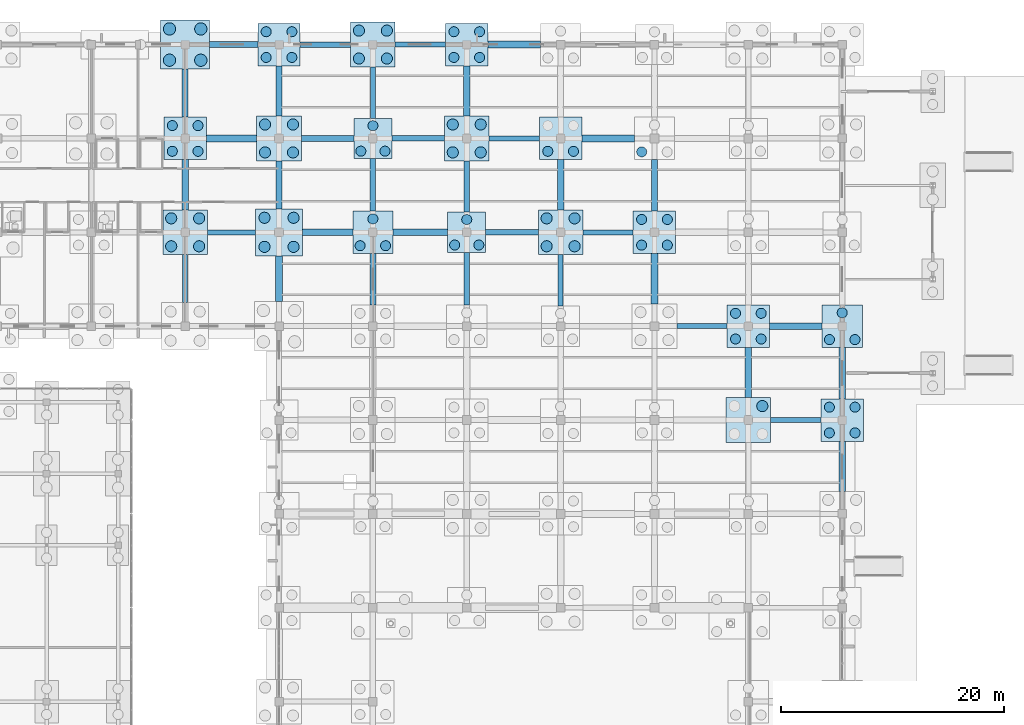
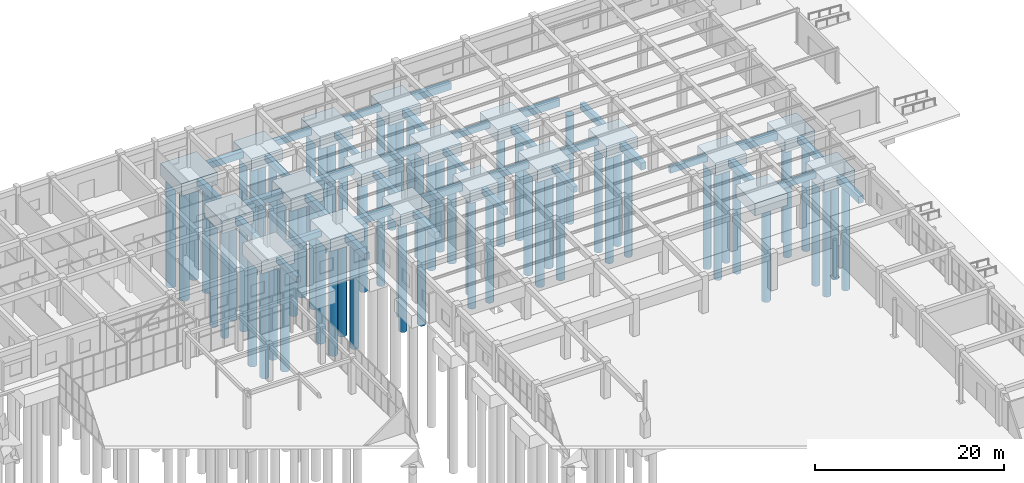
# One storey, part 15 of 192: 68 piles, 55 footings.
"""IFC4 building model written with IfcOpenShell, lengths in metres."""

from ifc_helpers import new_model, si_unit, direction, frame, origin, origin_2d, place, context, subcontext, project, spatial, rectangle, circle, extrude, material, layer, layer_set, material_profile, profile_set, type_object, element, save


model = new_model("IFC4")

# Units and contexts
model_context = context("Model", 3, precision=1e-05, world=origin(), true_north=direction((0.0, 1.0)))
body_context = subcontext(model_context, "Body", "Model", "MODEL_VIEW")
ifc_project = project(units=[si_unit("LENGTHUNIT", "METRE"), si_unit("AREAUNIT", "SQUARE_METRE"), si_unit("VOLUMEUNIT", "CUBIC_METRE"), si_unit("PLANEANGLEUNIT", "RADIAN"), si_unit("MASSUNIT", "GRAM", prefix="KILO")], contexts=[model_context])

# Site, building, storey
site_placement = place(None, origin())
site = spatial("IfcSite", under=ifc_project, at=site_placement, CompositionType="ELEMENT")
building_placement = place(site_placement, origin())
building = spatial("IfcBuilding", under=site, at=building_placement, Name="Trelvath General Hospital", CompositionType="ELEMENT")
storey_placement = place(building_placement, origin())
storey = spatial("IfcBuildingStorey", under=building, at=storey_placement, Name="L00", CompositionType="ELEMENT", Elevation=0.0)

# Piles
ifc_material_1 = material(Name="Concrete C35/45", Category="concrete")
ifc_material_profile_1 = material_profile(ifc_material_1, circle(Radius=0.5, at=origin_2d()), Name="PILE1000")
ifc_profile_set_1 = profile_set([ifc_material_profile_1], Name="Concrete C35/45")
pile_type_1 = type_object("IfcPileType", Name="BoredPile D1000", PredefinedType="BORED", material=ifc_profile_set_1)
for number, where, z_axis, x_axis, name in (
    (1, (124.75, 99.550048828125, -1.800048828125), (0.0, 0.0, -1.0), (1.0, 0.0, 0.0), "Bored Pile P-0872"),
    (2, (127.25, 99.550048828125, -1.800048828125), (0.0, 0.0, -1.0), (1.0, 0.0, 0.0), "Bored Pile P-0873"),
    (3, (124.75, 102.050048828125, -1.800048828125), (0.0, 0.0, -1.0), (1.0, 0.0, 0.0), "Bored Pile P-0874"),
    (4, (127.25, 102.050048828125, -1.800048828125), (0.0, 0.0, -1.0), (1.0, 0.0, 0.0), "Bored Pile P-0875"),
    (5, (133.10009765625, 99.5, -1.800048828125), (0.0, 0.0, -1.0), (1.0, 0.0, 0.0), "Bored Pile P-0932"),
    (6, (135.699951171875, 99.5, -1.800048828125), (0.0, 0.0, -1.0), (1.0, 0.0, 0.0), "Bored Pile P-0933"),
    (7, (133.10009765625, 102.10009765625, -1.800048828125), (0.0, 0.0, -1.0), (1.0, 0.0, 0.0), "Bored Pile P-0934"),
    (8, (135.699951171875, 102.10009765625, -1.800048828125), (0.0, 0.0, -1.0), (1.0, 0.0, 0.0), "Bored Pile P-0935"),
    (9, (133.14990234375, 107.949951171875, -1.800048828125), (0.0, 0.0, -1.0), (1.0, 0.0, 0.0), "Bored Pile P-0936"),
    (10, (135.64990234375, 107.949951171875, -1.800048828125), (0.0, 0.0, -1.0), (1.0, 0.0, 0.0), "Bored Pile P-0937"),
    (11, (133.14990234375, 110.449951171875, -1.800048828125), (0.0, 0.0, -1.0), (1.0, 0.0, 0.0), "Bored Pile P-0938"),
    (12, (135.64990234375, 110.449951171875, -1.800048828125), (0.0, 0.0, -1.0), (1.0, 0.0, 0.0), "Bored Pile P-0939"),
    (13, (141.550048828125, 116.35009765625, -1.800048828125), (0.0, 0.0, -1.0), (1.0, 0.0, 0.0), "Bored Pile P-0988"),
    (14, (144.050048828125, 116.35009765625, -1.800048828125), (0.0, 0.0, -1.0), (1.0, 0.0, 0.0), "Bored Pile P-0989"),
    (15, (141.550048828125, 118.85009765625, -1.800048828125), (0.0, 0.0, -1.0), (1.0, 0.0, 0.0), "Bored Pile P-0990"),
    (16, (144.050048828125, 118.85009765625, -1.800048828125), (0.0, 0.0, -1.0), (1.0, 0.0, 0.0), "Bored Pile P-0991"),
    (17, (149.949951171875, 107.949951171875, -1.800048828125), (0.0, 0.0, -1.0), (1.0, 0.0, 0.0), "Bored Pile P-1016"),
    (18, (152.449951171875, 107.949951171875, -1.800048828125), (0.0, 0.0, -1.0), (1.0, 0.0, 0.0), "Bored Pile P-1017"),
    (19, (149.949951171875, 110.449951171875, -1.800048828125), (0.0, 0.0, -1.0), (1.0, 0.0, 0.0), "Bored Pile P-1018"),
    (20, (152.449951171875, 110.449951171875, -1.800048828125), (0.0, 0.0, -1.0), (1.0, 0.0, 0.0), "Bored Pile P-1019"),
    (21, (158.35009765625, 99.550048828125, -1.800048828125), (0.0, 0.0, -1.0), (1.0, 0.0, 0.0), "Bored Pile P-1044"),
    (22, (160.85009765625, 99.550048828125, -1.800048828125), (0.0, 0.0, -1.0), (1.0, 0.0, 0.0), "Bored Pile P-1045"),
    (23, (158.35009765625, 102.050048828125, -1.800048828125), (0.0, 0.0, -1.0), (1.0, 0.0, 0.0), "Bored Pile P-1046"),
    (24, (160.85009765625, 102.050048828125, -1.800048828125), (0.0, 0.0, -1.0), (1.0, 0.0, 0.0), "Bored Pile P-1047"),
    (25, (177.64990234375, 85.25, -1.800048828125), (0.0, 0.0, -1.0), (1.0, 0.0, 0.0), "Bored Pile P-1115"),
):
    element("IfcPile", number, at=place(storey_placement, frame(where, z_axis=z_axis, x_axis=x_axis)), inside=storey, type_object=pile_type_1, Name=name, PredefinedType="BORED", context=body_context, shape_type="SweptSolid", body=[
        extrude(circle(Radius=0.5, at=origin_2d()), origin(), (0.0, 0.0, 1.0), 14.0),
    ])
ifc_material_2 = material(Name="Concrete C35/45", Category="concrete")
ifc_material_profile_2 = material_profile(ifc_material_2, circle(Radius=0.550048828125, at=origin_2d()), Name="PILE1100")
ifc_profile_set_2 = profile_set([ifc_material_profile_2], Name="Concrete C35/45")
pile_type_2 = type_object("IfcPileType", Name="BoredPile D1100", PredefinedType="BORED", material=ifc_profile_set_2)
for number, where, z_axis, x_axis, name in (
    (26, (124.60009765625, 116.199951171875, -1.800048828125), (0.0, 0.0, -1.0), (1.0, 0.0, 0.0), "Bored Pile P-0880"),
    (27, (127.39990234375, 116.199951171875, -1.800048828125), (0.0, 0.0, -1.0), (1.0, 0.0, 0.0), "Bored Pile P-0881"),
    (28, (124.60009765625, 119.0, -1.800048828125), (0.0, 0.0, -1.0), (1.0, 0.0, 0.0), "Bored Pile P-0882"),
    (29, (127.39990234375, 119.0, -1.800048828125), (0.0, 0.0, -1.0), (1.0, 0.0, 0.0), "Bored Pile P-0883"),
):
    element("IfcPile", number, at=place(storey_placement, frame(where, z_axis=z_axis, x_axis=x_axis)), inside=storey, type_object=pile_type_2, Name=name, PredefinedType="BORED", context=body_context, shape_type="SweptSolid", body=[
        extrude(circle(Radius=0.550048828125, at=origin_2d()), origin(), (0.0, 0.0, 1.0), 14.0),
    ])
ifc_material_3 = material(Name="Concrete C35/45", Category="concrete")
ifc_material_profile_3 = material_profile(ifc_material_3, circle(Radius=0.449951171875, at=origin_2d()), Name="PILE900")
ifc_profile_set_3 = profile_set([ifc_material_profile_3], Name="Concrete C35/45")
pile_type_3 = type_object("IfcPileType", Name="BoredPile D900", PredefinedType="BORED", material=ifc_profile_set_3)
for number, where, z_axis, x_axis, name in (
    (30, (124.85009765625, 108.050048828125, -1.800048828125), (0.0, 0.0, -1.0), (1.0, 0.0, 0.0), "Bored Pile P-0876"),
    (31, (127.14990234375, 108.050048828125, -1.800048828125), (0.0, 0.0, -1.0), (1.0, 0.0, 0.0), "Bored Pile P-0877"),
    (32, (124.85009765625, 110.35009765625, -1.800048828125), (0.0, 0.0, -1.0), (1.0, 0.0, 0.0), "Bored Pile P-0878"),
    (33, (127.14990234375, 110.35009765625, -1.800048828125), (0.0, 0.0, -1.0), (1.0, 0.0, 0.0), "Bored Pile P-0879"),
    (34, (133.25, 116.449951171875, -1.800048828125), (0.0, 0.0, -1.0), (1.0, 0.0, 0.0), "Bored Pile P-0940"),
    (35, (135.550048828125, 116.449951171875, -1.800048828125), (0.0, 0.0, -1.0), (1.0, 0.0, 0.0), "Bored Pile P-0941"),
    (36, (133.25, 118.75, -1.800048828125), (0.0, 0.0, -1.0), (1.0, 0.0, 0.0), "Bored Pile P-0942"),
    (37, (135.550048828125, 118.75, -1.800048828125), (0.0, 0.0, -1.0), (1.0, 0.0, 0.0), "Bored Pile P-0943"),
    (38, (141.659912109375, 99.60009765625, -1.800048828125), (0.0, 0.0, -1.0), (1.0, 0.0, 0.0), "Bored Pile P-0982"),
    (39, (143.93994140625, 99.60009765625, -1.800048828125), (0.0, 0.0, -1.0), (1.0, 0.0, 0.0), "Bored Pile P-0983"),
    (40, (142.800048828125, 102.0, -1.800048828125), (0.0, 0.0, -1.0), (1.0, 0.0, 0.0), "Bored Pile P-0984"),
    (41, (141.719970703125, 108.06005859375, -1.800048828125), (0.0, 0.0, -1.0), (1.0, 0.0, 0.0), "Bored Pile P-0985"),
    (42, (143.8798828125, 108.06005859375, -1.800048828125), (0.0, 0.0, -1.0), (1.0, 0.0, 0.0), "Bored Pile P-0986"),
    (43, (142.800048828125, 110.340087890625, -1.800048828125), (0.0, 0.0, -1.0), (1.0, 0.0, 0.0), "Bored Pile P-0987"),
    (44, (150.1201171875, 99.659912109375, -1.800048828125), (0.0, 0.0, -1.0), (1.0, 0.0, 0.0), "Bored Pile P-1013"),
    (45, (152.280029296875, 99.659912109375, -1.800048828125), (0.0, 0.0, -1.0), (1.0, 0.0, 0.0), "Bored Pile P-1014"),
    (46, (151.199951171875, 101.93994140625, -1.800048828125), (0.0, 0.0, -1.0), (1.0, 0.0, 0.0), "Bored Pile P-1015"),
    (47, (150.050048828125, 116.449951171875, -1.800048828125), (0.0, 0.0, -1.0), (1.0, 0.0, 0.0), "Bored Pile P-1020"),
    (48, (152.35009765625, 116.449951171875, -1.800048828125), (0.0, 0.0, -1.0), (1.0, 0.0, 0.0), "Bored Pile P-1021"),
    (49, (150.050048828125, 118.75, -1.800048828125), (0.0, 0.0, -1.0), (1.0, 0.0, 0.0), "Bored Pile P-1022"),
    (50, (152.35009765625, 118.75, -1.800048828125), (0.0, 0.0, -1.0), (1.0, 0.0, 0.0), "Bored Pile P-1023"),
    (51, (158.449951171875, 108.050048828125, -1.800048828125), (0.0, 0.0, -1.0), (1.0, 0.0, 0.0), "Bored Pile P-1048"),
    (52, (160.75, 108.050048828125, -1.800048828125), (0.0, 0.0, -1.0), (1.0, 0.0, 0.0), "Bored Pile P-1049"),
    (53, (166.85009765625, 99.64990234375, -1.800048828125), (0.0, 0.0, -1.0), (1.0, 0.0, 0.0), "Bored Pile P-1076"),
    (54, (169.14990234375, 99.64990234375, -1.800048828125), (0.0, 0.0, -1.0), (1.0, 0.0, 0.0), "Bored Pile P-1077"),
    (55, (166.85009765625, 101.949951171875, -1.800048828125), (0.0, 0.0, -1.0), (1.0, 0.0, 0.0), "Bored Pile P-1078"),
    (56, (169.14990234375, 101.949951171875, -1.800048828125), (0.0, 0.0, -1.0), (1.0, 0.0, 0.0), "Bored Pile P-1079"),
    (57, (166.860107421875, 108.0, -1.800048828125), (0.0, 0.0, -1.0), (1.0, 0.0, 0.0), "Bored Pile P-1080"),
    (58, (175.25, 91.25, -1.800048828125), (0.0, 0.0, -1.0), (1.0, 0.0, 0.0), "Bored Pile P-1116"),
    (59, (177.550048828125, 91.25, -1.800048828125), (0.0, 0.0, -1.0), (1.0, 0.0, 0.0), "Bored Pile P-1117"),
    (60, (175.25, 93.550048828125, -1.800048828125), (0.0, 0.0, -1.0), (1.0, 0.0, 0.0), "Bored Pile P-1118"),
    (61, (177.550048828125, 93.550048828125, -1.800048828125), (0.0, 0.0, -1.0), (1.0, 0.0, 0.0), "Bored Pile P-1119"),
    (62, (183.64990234375, 82.85009765625, -1.800048828125), (0.0, 0.0, -1.0), (1.0, 0.0, 0.0), "Bored Pile P-1158"),
    (63, (185.949951171875, 82.85009765625, -1.800048828125), (0.0, 0.0, -1.0), (1.0, 0.0, 0.0), "Bored Pile P-1159"),
    (64, (183.64990234375, 85.14990234375, -1.800048828125), (0.0, 0.0, -1.0), (1.0, 0.0, 0.0), "Bored Pile P-1160"),
    (65, (185.949951171875, 85.14990234375, -1.800048828125), (0.0, 0.0, -1.0), (1.0, 0.0, 0.0), "Bored Pile P-1161"),
    (66, (183.659912109375, 91.199951171875, -1.800048828125), (0.0, 0.0, -1.0), (1.0, 0.0, 0.0), "Bored Pile P-1162"),
    (67, (185.93994140625, 91.199951171875, -1.800048828125), (0.0, 0.0, -1.0), (1.0, 0.0, 0.0), "Bored Pile P-1163"),
    (68, (184.800048828125, 93.60009765625, -1.800048828125), (0.0, 0.0, -1.0), (1.0, 0.0, 0.0), "Bored Pile P-1164"),
):
    element("IfcPile", number, at=place(storey_placement, frame(where, z_axis=z_axis, x_axis=x_axis)), inside=storey, type_object=pile_type_3, Name=name, PredefinedType="BORED", context=body_context, shape_type="SweptSolid", body=[
        extrude(circle(Radius=0.449951171875, at=origin_2d()), origin(), (0.0, 0.0, 1.0), 14.0),
    ])

# Footings
ifc_material_4 = material(Name="Concrete C35/45", Category="concrete")
ifc_layer_1 = layer(ifc_material_4, 1.60009765625)
ifc_layer_set_1 = layer_set([ifc_layer_1], Name="Concrete C35/45")
footing_type_1 = type_object("IfcFootingType", Name="PileCap 3P 340x360", PredefinedType="PILE_CAP", material=ifc_layer_set_1)
for number, where, z_axis, x_axis, name in (
    (69, (142.800048828125, 109.199951171875, -1.900146484375), (0.0, 0.0, 1.0), (1.0, 0.0, 0.0), "Pile Cap PC-268"),
    (70, (151.199951171875, 100.800048828125, -1.900146484375), (0.0, 0.0, 1.0), (1.0, 0.0, 0.0), "Pile Cap PC-276"),
):
    element("IfcFooting", number, at=place(storey_placement, frame(where, z_axis=z_axis, x_axis=x_axis)), inside=storey, type_object=footing_type_1, Name=name, PredefinedType="PILE_CAP", context=body_context, shape_type="SweptSolid", body=[
        extrude(rectangle(XDim=3.39990234375, YDim=3.60009765625, at=origin_2d()), origin(), (0.0, 0.0, 1.0), 1.60009765625),
    ])
ifc_material_5 = material(Name="Concrete C35/45", Category="concrete")
ifc_layer_2 = layer(ifc_material_5, 1.60009765625)
ifc_layer_set_2 = layer_set([ifc_layer_2], Name="Concrete C35/45")
footing_type_2 = type_object("IfcFootingType", Name="PileCap 3P 360x380", PredefinedType="PILE_CAP", material=ifc_layer_set_2)
for number, where, z_axis, x_axis, name in (
    (71, (142.800048828125, 100.800048828125, -1.900146484375), (0.0, 0.0, 1.0), (1.0, 0.0, 0.0), "Pile Cap PC-267"),
    (72, (184.800048828125, 92.39990234375, -1.900146484375), (0.0, 0.0, 1.0), (1.0, 0.0, 0.0), "Pile Cap PC-319"),
):
    element("IfcFooting", number, at=place(storey_placement, frame(where, z_axis=z_axis, x_axis=x_axis)), inside=storey, type_object=footing_type_2, Name=name, PredefinedType="PILE_CAP", context=body_context, shape_type="SweptSolid", body=[
        extrude(rectangle(XDim=3.60009765625, YDim=3.800048828125, at=origin_2d()), origin(), (0.0, 0.0, 1.0), 1.60009765625),
    ])
ifc_material_6 = material(Name="Concrete C35/45", Category="concrete")
ifc_layer_3 = layer(ifc_material_6, 1.60009765625)
ifc_layer_set_3 = layer_set([ifc_layer_3], Name="Concrete C35/45")
footing_type_3 = type_object("IfcFootingType", Name="PileCap 4P 380x380", PredefinedType="PILE_CAP", material=ifc_layer_set_3)
for number, where, z_axis, x_axis, name in (
    (73, (126.0, 109.199951171875, -1.900146484375), (0.0, 0.0, 1.0), (1.0, 0.0, 0.0), "Pile Cap PC-240"),
    (74, (134.39990234375, 117.60009765625, -1.900146484375), (0.0, 0.0, 1.0), (1.0, 0.0, 0.0), "Pile Cap PC-256"),
    (75, (151.199951171875, 117.60009765625, -1.900146484375), (0.0, 0.0, 1.0), (1.0, 0.0, 0.0), "Pile Cap PC-278"),
    (76, (159.60009765625, 109.199951171875, -1.900146484375), (0.0, 0.0, 1.0), (1.0, 0.0, 0.0), "Pile Cap PC-286"),
    (77, (168.0, 100.800048828125, -1.900146484375), (0.0, 0.0, 1.0), (1.0, 0.0, 0.0), "Pile Cap PC-294"),
    (78, (176.39990234375, 92.39990234375, -1.900146484375), (0.0, 0.0, 1.0), (1.0, 0.0, 0.0), "Pile Cap PC-306"),
    (79, (184.800048828125, 84.0, -1.900146484375), (0.0, 0.0, 1.0), (1.0, 0.0, 0.0), "Pile Cap PC-318"),
):
    element("IfcFooting", number, at=place(storey_placement, frame(where, z_axis=z_axis, x_axis=x_axis)), inside=storey, type_object=footing_type_3, Name=name, PredefinedType="PILE_CAP", context=body_context, shape_type="SweptSolid", body=[
        extrude(rectangle(XDim=3.800048828125, YDim=3.800048828125, at=origin_2d()), origin(), (0.0, 0.0, 1.0), 1.60009765625),
    ])
ifc_material_7 = material(Name="Concrete C35/45", Category="concrete")
ifc_layer_4 = layer(ifc_material_7, 1.60009765625)
ifc_layer_set_4 = layer_set([ifc_layer_4], Name="Concrete C35/45")
footing_type_4 = type_object("IfcFootingType", Name="PileCap 4P 400x400", PredefinedType="PILE_CAP", material=ifc_layer_set_4)
for number, where, z_axis, x_axis, name in (
    (80, (126.0, 100.800048828125, -1.900146484375), (0.0, 0.0, 1.0), (1.0, 0.0, 0.0), "Pile Cap PC-239"),
    (81, (134.39990234375, 109.199951171875, -1.900146484375), (0.0, 0.0, 1.0), (1.0, 0.0, 0.0), "Pile Cap PC-255"),
    (82, (142.800048828125, 117.60009765625, -1.900146484375), (0.0, 0.0, 1.0), (1.0, 0.0, 0.0), "Pile Cap PC-269"),
    (83, (151.199951171875, 109.199951171875, -1.900146484375), (0.0, 0.0, 1.0), (1.0, 0.0, 0.0), "Pile Cap PC-277"),
    (84, (159.60009765625, 100.800048828125, -1.900146484375), (0.0, 0.0, 1.0), (1.0, 0.0, 0.0), "Pile Cap PC-285"),
    (85, (176.39990234375, 84.0, -1.900146484375), (0.0, 0.0, 1.0), (1.0, 0.0, 0.0), "Pile Cap PC-305"),
):
    element("IfcFooting", number, at=place(storey_placement, frame(where, z_axis=z_axis, x_axis=x_axis)), inside=storey, type_object=footing_type_4, Name=name, PredefinedType="PILE_CAP", context=body_context, shape_type="SweptSolid", body=[
        extrude(rectangle(XDim=4.0, YDim=4.0, at=origin_2d()), origin(), (0.0, 0.0, 1.0), 1.60009765625),
    ])
ifc_material_8 = material(Name="Concrete C35/45", Category="concrete")
ifc_layer_5 = layer(ifc_material_8, 1.60009765625)
ifc_layer_set_5 = layer_set([ifc_layer_5], Name="Concrete C35/45")
footing_type_5 = type_object("IfcFootingType", Name="PileCap 4P 420x420", PredefinedType="PILE_CAP", material=ifc_layer_set_5)
footing_1_placement = place(storey_placement, frame((134.39990234375, 100.800048828125, -1.900146484375), z_axis=(0.0, 0.0, 1.0), x_axis=(1.0, 0.0, 0.0)))
element("IfcFooting", 86, at=footing_1_placement, inside=storey, type_object=footing_type_5, Name="Pile Cap PC-254", PredefinedType="PILE_CAP", context=body_context, shape_type="SweptSolid", body=[
    extrude(rectangle(XDim=4.199951171875, YDim=4.199951171875, at=origin_2d()), origin(), (0.0, 0.0, 1.0), 1.60009765625),
])
ifc_material_9 = material(Name="Concrete C35/45", Category="concrete")
ifc_layer_6 = layer(ifc_material_9, 1.60009765625)
ifc_layer_set_6 = layer_set([ifc_layer_6], Name="Concrete C35/45")
footing_type_6 = type_object("IfcFootingType", Name="PileCap 4P 440x440", PredefinedType="PILE_CAP", material=ifc_layer_set_6)
footing_2_placement = place(storey_placement, frame((126.0, 117.60009765625, -1.900146484375), z_axis=(0.0, 0.0, 1.0), x_axis=(1.0, 0.0, 0.0)))
element("IfcFooting", 87, at=footing_2_placement, inside=storey, type_object=footing_type_6, Name="Pile Cap PC-241", PredefinedType="PILE_CAP", context=body_context, shape_type="SweptSolid", body=[
    extrude(rectangle(XDim=4.39990234375, YDim=4.39990234375, at=origin_2d()), origin(), (0.0, 0.0, 1.0), 1.60009765625),
])
ifc_material_10 = material(Name="Concrete C35/45", Category="concrete")
ifc_layer_7 = layer(ifc_material_10, 0.75)
ifc_layer_set_7 = layer_set([ifc_layer_7], Name="Concrete C35/45")
footing_type_7 = type_object("IfcFootingType", Name="TieBeam 450x750", PredefinedType="FOOTING_BEAM", material=ifc_layer_set_7)
footing_3_placement = place(storey_placement, frame((126.0, 96.64990234375, -1.050048828125), z_axis=(0.0, 0.0, 1.0), x_axis=(1.0, 0.0, 0.0)))
element("IfcFooting", 88, at=footing_3_placement, inside=storey, type_object=footing_type_7, Name="Foundation Tie Beam TB-272", PredefinedType="FOOTING_BEAM", context=body_context, shape_type="SweptSolid", body=[
    extrude(rectangle(XDim=0.449951171875, YDim=4.300048828125, at=origin_2d()), origin(), (0.0, 0.0, 1.0), 0.75),
])
footing_4_placement = place(storey_placement, frame((130.14990234375, 100.800048828125, -1.050048828125), z_axis=(0.0, 0.0, 1.0), x_axis=(1.0, 0.0, 0.0)))
element("IfcFooting", 89, at=footing_4_placement, inside=storey, type_object=footing_type_7, Name="Foundation Tie Beam TB-273", PredefinedType="FOOTING_BEAM", context=body_context, shape_type="SweptSolid", body=[
    extrude(rectangle(XDim=4.300048828125, YDim=0.449951171875, at=origin_2d()), origin(), (0.0, 0.0, 1.0), 0.75),
])
footing_5_placement = place(storey_placement, frame((142.800048828125, 113.300048828125, -1.050048828125), z_axis=(0.0, 0.0, 1.0), x_axis=(1.0, 0.0, 0.0)))
element("IfcFooting", 90, at=footing_5_placement, inside=storey, type_object=footing_type_7, Name="Foundation Tie Beam TB-311", PredefinedType="FOOTING_BEAM", context=body_context, shape_type="SweptSolid", body=[
    extrude(rectangle(XDim=0.449951171875, YDim=4.60009765625, at=origin_2d()), origin(), (0.0, 0.0, 1.0), 0.75),
])
footing_6_placement = place(storey_placement, frame((147.050048828125, 117.60009765625, -1.050048828125), z_axis=(0.0, 0.0, 1.0), x_axis=(1.0, 0.0, 0.0)))
element("IfcFooting", 91, at=footing_6_placement, inside=storey, type_object=footing_type_7, Name="Foundation Tie Beam TB-312", PredefinedType="FOOTING_BEAM", context=body_context, shape_type="SweptSolid", body=[
    extrude(rectangle(XDim=4.5, YDim=0.449951171875, at=origin_2d()), origin(), (0.0, 0.0, 1.0), 0.75),
])
footing_7_placement = place(storey_placement, frame((151.199951171875, 104.89990234375, -1.050048828125), z_axis=(0.0, 0.0, 1.0), x_axis=(1.0, 0.0, 0.0)))
element("IfcFooting", 92, at=footing_7_placement, inside=storey, type_object=footing_type_7, Name="Foundation Tie Beam TB-325", PredefinedType="FOOTING_BEAM", context=body_context, shape_type="SweptSolid", body=[
    extrude(rectangle(XDim=0.449951171875, YDim=4.60009765625, at=origin_2d()), origin(), (0.0, 0.0, 1.0), 0.75),
])
footing_8_placement = place(storey_placement, frame((155.449951171875, 109.199951171875, -1.050048828125), z_axis=(0.0, 0.0, 1.0), x_axis=(1.0, 0.0, 0.0)))
element("IfcFooting", 93, at=footing_8_placement, inside=storey, type_object=footing_type_7, Name="Foundation Tie Beam TB-326", PredefinedType="FOOTING_BEAM", context=body_context, shape_type="SweptSolid", body=[
    extrude(rectangle(XDim=4.5, YDim=0.449951171875, at=origin_2d()), origin(), (0.0, 0.0, 1.0), 0.75),
])
footing_9_placement = place(storey_placement, frame((159.60009765625, 96.5, -1.050048828125), z_axis=(0.0, 0.0, 1.0), x_axis=(1.0, 0.0, 0.0)))
element("IfcFooting", 94, at=footing_9_placement, inside=storey, type_object=footing_type_7, Name="Foundation Tie Beam TB-339", PredefinedType="FOOTING_BEAM", context=body_context, shape_type="SweptSolid", body=[
    extrude(rectangle(XDim=0.449951171875, YDim=4.60009765625, at=origin_2d()), origin(), (0.0, 0.0, 1.0), 0.75),
])
for number, where, z_axis, x_axis, name in (
    (95, (163.85009765625, 100.800048828125, -1.050048828125), (0.0, 0.0, 1.0), (1.0, 0.0, 0.0), "Foundation Tie Beam TB-340"),
    (96, (172.25, 92.39990234375, -1.050048828125), (0.0, 0.0, 1.0), (1.0, 0.0, 0.0), "Foundation Tie Beam TB-352"),
    (97, (180.64990234375, 84.0, -1.050048828125), (0.0, 0.0, 1.0), (1.0, 0.0, 0.0), "Foundation Tie Beam TB-364"),
):
    element("IfcFooting", number, at=place(storey_placement, frame(where, z_axis=z_axis, x_axis=x_axis)), inside=storey, type_object=footing_type_7, Name=name, PredefinedType="FOOTING_BEAM", context=body_context, shape_type="SweptSolid", body=[
        extrude(rectangle(XDim=4.5, YDim=0.449951171875, at=origin_2d()), origin(), (0.0, 0.0, 1.0), 0.75),
    ])
ifc_material_11 = material(Name="Concrete C35/45", Category="concrete")
ifc_layer_8 = layer(ifc_material_11, 0.800048828125)
ifc_layer_set_8 = layer_set([ifc_layer_8], Name="Concrete C35/45")
footing_type_8 = type_object("IfcFootingType", Name="TieBeam 500x800", PredefinedType="FOOTING_BEAM", material=ifc_layer_set_8)
footing_10_placement = place(storey_placement, frame((134.39990234375, 113.449951171875, -1.10009765625), z_axis=(0.0, 0.0, 1.0), x_axis=(1.0, 0.0, 0.0)))
element("IfcFooting", 98, at=footing_10_placement, inside=storey, type_object=footing_type_8, Name="Foundation Tie Beam TB-299", PredefinedType="FOOTING_BEAM", context=body_context, shape_type="SweptSolid", body=[
    extrude(rectangle(XDim=0.5, YDim=4.5, at=origin_2d()), origin(), (0.0, 0.0, 1.0), 0.800048828125),
])
footing_11_placement = place(storey_placement, frame((138.550048828125, 117.60009765625, -1.10009765625), z_axis=(0.0, 0.0, 1.0), x_axis=(1.0, 0.0, 0.0)))
element("IfcFooting", 99, at=footing_11_placement, inside=storey, type_object=footing_type_8, Name="Foundation Tie Beam TB-300", PredefinedType="FOOTING_BEAM", context=body_context, shape_type="SweptSolid", body=[
    extrude(rectangle(XDim=4.5, YDim=0.5, at=origin_2d()), origin(), (0.0, 0.0, 1.0), 0.800048828125),
])
footing_12_placement = place(storey_placement, frame((142.800048828125, 105.050048828125, -1.10009765625), z_axis=(0.0, 0.0, 1.0), x_axis=(1.0, 0.0, 0.0)))
element("IfcFooting", 100, at=footing_12_placement, inside=storey, type_object=footing_type_8, Name="Foundation Tie Beam TB-309", PredefinedType="FOOTING_BEAM", context=body_context, shape_type="SweptSolid", body=[
    extrude(rectangle(XDim=0.5, YDim=4.699951171875, at=origin_2d()), origin(), (0.0, 0.0, 1.0), 0.800048828125),
])
footing_13_placement = place(storey_placement, frame((146.85009765625, 109.199951171875, -1.10009765625), z_axis=(0.0, 0.0, 1.0), x_axis=(1.0, 0.0, 0.0)))
element("IfcFooting", 101, at=footing_13_placement, inside=storey, type_object=footing_type_8, Name="Foundation Tie Beam TB-310", PredefinedType="FOOTING_BEAM", context=body_context, shape_type="SweptSolid", body=[
    extrude(rectangle(XDim=4.699951171875, YDim=0.5, at=origin_2d()), origin(), (0.0, 0.0, 1.0), 0.800048828125),
])
footing_14_placement = place(storey_placement, frame((151.199951171875, 96.64990234375, -1.10009765625), z_axis=(0.0, 0.0, 1.0), x_axis=(1.0, 0.0, 0.0)))
element("IfcFooting", 102, at=footing_14_placement, inside=storey, type_object=footing_type_8, Name="Foundation Tie Beam TB-323", PredefinedType="FOOTING_BEAM", context=body_context, shape_type="SweptSolid", body=[
    extrude(rectangle(XDim=0.5, YDim=4.699951171875, at=origin_2d()), origin(), (0.0, 0.0, 1.0), 0.800048828125),
])
footing_15_placement = place(storey_placement, frame((155.25, 100.800048828125, -1.10009765625), z_axis=(0.0, 0.0, 1.0), x_axis=(1.0, 0.0, 0.0)))
element("IfcFooting", 103, at=footing_15_placement, inside=storey, type_object=footing_type_8, Name="Foundation Tie Beam TB-324", PredefinedType="FOOTING_BEAM", context=body_context, shape_type="SweptSolid", body=[
    extrude(rectangle(XDim=4.699951171875, YDim=0.5, at=origin_2d()), origin(), (0.0, 0.0, 1.0), 0.800048828125),
])
ifc_material_12 = material(Name="Concrete C35/45", Category="concrete")
ifc_layer_9 = layer(ifc_material_12, 0.85009765625)
ifc_layer_set_9 = layer_set([ifc_layer_9], Name="Concrete C35/45")
footing_type_9 = type_object("IfcFootingType", Name="TieBeam 550x850", PredefinedType="FOOTING_BEAM", material=ifc_layer_set_9)
footing_16_placement = place(storey_placement, frame((126.0, 113.25, -1.150146484375), z_axis=(0.0, 0.0, 1.0), x_axis=(1.0, 0.0, 0.0)))
element("IfcFooting", 104, at=footing_16_placement, inside=storey, type_object=footing_type_9, Name="Foundation Tie Beam TB-276", PredefinedType="FOOTING_BEAM", context=body_context, shape_type="SweptSolid", body=[
    extrude(rectangle(XDim=0.550048828125, YDim=4.300048828125, at=origin_2d()), origin(), (0.0, 0.0, 1.0), 0.85009765625),
])
footing_17_placement = place(storey_placement, frame((130.35009765625, 117.60009765625, -1.150146484375), z_axis=(0.0, 0.0, 1.0), x_axis=(1.0, 0.0, 0.0)))
element("IfcFooting", 105, at=footing_17_placement, inside=storey, type_object=footing_type_9, Name="Foundation Tie Beam TB-277", PredefinedType="FOOTING_BEAM", context=body_context, shape_type="SweptSolid", body=[
    extrude(rectangle(XDim=4.300048828125, YDim=0.550048828125, at=origin_2d()), origin(), (0.0, 0.0, 1.0), 0.85009765625),
])
footing_18_placement = place(storey_placement, frame((134.39990234375, 105.050048828125, -1.150146484375), z_axis=(0.0, 0.0, 1.0), x_axis=(1.0, 0.0, 0.0)))
element("IfcFooting", 106, at=footing_18_placement, inside=storey, type_object=footing_type_9, Name="Foundation Tie Beam TB-297", PredefinedType="FOOTING_BEAM", context=body_context, shape_type="SweptSolid", body=[
    extrude(rectangle(XDim=0.550048828125, YDim=4.300048828125, at=origin_2d()), origin(), (0.0, 0.0, 1.0), 0.85009765625),
])
footing_19_placement = place(storey_placement, frame((138.75, 109.199951171875, -1.150146484375), z_axis=(0.0, 0.0, 1.0), x_axis=(1.0, 0.0, 0.0)))
element("IfcFooting", 107, at=footing_19_placement, inside=storey, type_object=footing_type_9, Name="Foundation Tie Beam TB-298", PredefinedType="FOOTING_BEAM", context=body_context, shape_type="SweptSolid", body=[
    extrude(rectangle(XDim=4.699951171875, YDim=0.550048828125, at=origin_2d()), origin(), (0.0, 0.0, 1.0), 0.85009765625),
])
footing_20_placement = place(storey_placement, frame((142.800048828125, 96.60009765625, -1.150146484375), z_axis=(0.0, 0.0, 1.0), x_axis=(1.0, 0.0, 0.0)))
element("IfcFooting", 108, at=footing_20_placement, inside=storey, type_object=footing_type_9, Name="Foundation Tie Beam TB-307", PredefinedType="FOOTING_BEAM", context=body_context, shape_type="SweptSolid", body=[
    extrude(rectangle(XDim=0.550048828125, YDim=4.60009765625, at=origin_2d()), origin(), (0.0, 0.0, 1.0), 0.85009765625),
])
footing_21_placement = place(storey_placement, frame((147.050048828125, 100.800048828125, -1.150146484375), z_axis=(0.0, 0.0, 1.0), x_axis=(1.0, 0.0, 0.0)))
element("IfcFooting", 109, at=footing_21_placement, inside=storey, type_object=footing_type_9, Name="Foundation Tie Beam TB-308", PredefinedType="FOOTING_BEAM", context=body_context, shape_type="SweptSolid", body=[
    extrude(rectangle(XDim=4.89990234375, YDim=0.550048828125, at=origin_2d()), origin(), (0.0, 0.0, 1.0), 0.85009765625),
])
for number, where, z_axis, x_axis, name in (
    (110, (168.0, 105.0, -1.150146484375), (0.0, 0.0, 1.0), (1.0, 0.0, 0.0), "Foundation Tie Beam TB-355"),
    (111, (184.800048828125, 88.199951171875, -1.150146484375), (0.0, 0.0, 1.0), (1.0, 0.0, 0.0), "Foundation Tie Beam TB-381"),
):
    element("IfcFooting", number, at=place(storey_placement, frame(where, z_axis=z_axis, x_axis=x_axis)), inside=storey, type_object=footing_type_9, Name=name, PredefinedType="FOOTING_BEAM", context=body_context, shape_type="SweptSolid", body=[
        extrude(rectangle(XDim=0.550048828125, YDim=4.60009765625, at=origin_2d()), origin(), (0.0, 0.0, 1.0), 0.85009765625),
    ])
ifc_material_13 = material(Name="Concrete C35/45", Category="concrete")
ifc_layer_10 = layer(ifc_material_13, 0.89990234375)
ifc_layer_set_10 = layer_set([ifc_layer_10], Name="Concrete C35/45")
footing_type_10 = type_object("IfcFootingType", Name="TieBeam 600x900", PredefinedType="FOOTING_BEAM", material=ifc_layer_set_10)
footing_22_placement = place(storey_placement, frame((126.0, 105.050048828125, -1.199951171875), z_axis=(0.0, 0.0, 1.0), x_axis=(1.0, 0.0, 0.0)))
element("IfcFooting", 112, at=footing_22_placement, inside=storey, type_object=footing_type_10, Name="Foundation Tie Beam TB-274", PredefinedType="FOOTING_BEAM", context=body_context, shape_type="SweptSolid", body=[
    extrude(rectangle(XDim=0.60009765625, YDim=4.5, at=origin_2d()), origin(), (0.0, 0.0, 1.0), 0.89990234375),
])
footing_23_placement = place(storey_placement, frame((130.14990234375, 109.199951171875, -1.199951171875), z_axis=(0.0, 0.0, 1.0), x_axis=(1.0, 0.0, 0.0)))
element("IfcFooting", 113, at=footing_23_placement, inside=storey, type_object=footing_type_10, Name="Foundation Tie Beam TB-275", PredefinedType="FOOTING_BEAM", context=body_context, shape_type="SweptSolid", body=[
    extrude(rectangle(XDim=4.5, YDim=0.60009765625, at=origin_2d()), origin(), (0.0, 0.0, 1.0), 0.89990234375),
])
footing_24_placement = place(storey_placement, frame((134.39990234375, 96.64990234375, -1.199951171875), z_axis=(0.0, 0.0, 1.0), x_axis=(1.0, 0.0, 0.0)))
element("IfcFooting", 114, at=footing_24_placement, inside=storey, type_object=footing_type_10, Name="Foundation Tie Beam TB-295", PredefinedType="FOOTING_BEAM", context=body_context, shape_type="SweptSolid", body=[
    extrude(rectangle(XDim=0.60009765625, YDim=4.10009765625, at=origin_2d()), origin(), (0.0, 0.0, 1.0), 0.89990234375),
])
footing_25_placement = place(storey_placement, frame((138.75, 100.800048828125, -1.199951171875), z_axis=(0.0, 0.0, 1.0), x_axis=(1.0, 0.0, 0.0)))
element("IfcFooting", 115, at=footing_25_placement, inside=storey, type_object=footing_type_10, Name="Foundation Tie Beam TB-296", PredefinedType="FOOTING_BEAM", context=body_context, shape_type="SweptSolid", body=[
    extrude(rectangle(XDim=4.5, YDim=0.60009765625, at=origin_2d()), origin(), (0.0, 0.0, 1.0), 0.89990234375),
])
footing_26_placement = place(storey_placement, frame((151.199951171875, 113.449951171875, -1.199951171875), z_axis=(0.0, 0.0, 1.0), x_axis=(1.0, 0.0, 0.0)))
element("IfcFooting", 116, at=footing_26_placement, inside=storey, type_object=footing_type_10, Name="Foundation Tie Beam TB-327", PredefinedType="FOOTING_BEAM", context=body_context, shape_type="SweptSolid", body=[
    extrude(rectangle(XDim=0.60009765625, YDim=4.5, at=origin_2d()), origin(), (0.0, 0.0, 1.0), 0.89990234375),
])
footing_27_placement = place(storey_placement, frame((155.449951171875, 117.60009765625, -1.199951171875), z_axis=(0.0, 0.0, 1.0), x_axis=(1.0, 0.0, 0.0)))
element("IfcFooting", 117, at=footing_27_placement, inside=storey, type_object=footing_type_10, Name="Foundation Tie Beam TB-328", PredefinedType="FOOTING_BEAM", context=body_context, shape_type="SweptSolid", body=[
    extrude(rectangle(XDim=4.699951171875, YDim=0.60009765625, at=origin_2d()), origin(), (0.0, 0.0, 1.0), 0.89990234375),
])
footing_28_placement = place(storey_placement, frame((159.60009765625, 105.050048828125, -1.199951171875), z_axis=(0.0, 0.0, 1.0), x_axis=(1.0, 0.0, 0.0)))
element("IfcFooting", 118, at=footing_28_placement, inside=storey, type_object=footing_type_10, Name="Foundation Tie Beam TB-341", PredefinedType="FOOTING_BEAM", context=body_context, shape_type="SweptSolid", body=[
    extrude(rectangle(XDim=0.60009765625, YDim=4.5, at=origin_2d()), origin(), (0.0, 0.0, 1.0), 0.89990234375),
])
footing_29_placement = place(storey_placement, frame((163.85009765625, 109.199951171875, -1.199951171875), z_axis=(0.0, 0.0, 1.0), x_axis=(1.0, 0.0, 0.0)))
element("IfcFooting", 119, at=footing_29_placement, inside=storey, type_object=footing_type_10, Name="Foundation Tie Beam TB-342", PredefinedType="FOOTING_BEAM", context=body_context, shape_type="SweptSolid", body=[
    extrude(rectangle(XDim=4.699951171875, YDim=0.60009765625, at=origin_2d()), origin(), (0.0, 0.0, 1.0), 0.89990234375),
])
for number, where, z_axis, x_axis, name in (
    (120, (168.0, 96.64990234375, -1.199951171875), (0.0, 0.0, 1.0), (1.0, 0.0, 0.0), "Foundation Tie Beam TB-353"),
    (121, (176.39990234375, 88.25, -1.199951171875), (0.0, 0.0, 1.0), (1.0, 0.0, 0.0), "Foundation Tie Beam TB-365"),
):
    element("IfcFooting", number, at=place(storey_placement, frame(where, z_axis=z_axis, x_axis=x_axis)), inside=storey, type_object=footing_type_10, Name=name, PredefinedType="FOOTING_BEAM", context=body_context, shape_type="SweptSolid", body=[
        extrude(rectangle(XDim=0.60009765625, YDim=4.5, at=origin_2d()), origin(), (0.0, 0.0, 1.0), 0.89990234375),
    ])
footing_30_placement = place(storey_placement, frame((180.64990234375, 92.39990234375, -1.199951171875), z_axis=(0.0, 0.0, 1.0), x_axis=(1.0, 0.0, 0.0)))
element("IfcFooting", 122, at=footing_30_placement, inside=storey, type_object=footing_type_10, Name="Foundation Tie Beam TB-366", PredefinedType="FOOTING_BEAM", context=body_context, shape_type="SweptSolid", body=[
    extrude(rectangle(XDim=4.699951171875, YDim=0.60009765625, at=origin_2d()), origin(), (0.0, 0.0, 1.0), 0.89990234375),
])
footing_31_placement = place(storey_placement, frame((184.800048828125, 79.85009765625, -1.199951171875), z_axis=(0.0, 0.0, 1.0), x_axis=(1.0, 0.0, 0.0)))
element("IfcFooting", 123, at=footing_31_placement, inside=storey, type_object=footing_type_10, Name="Foundation Tie Beam TB-380", PredefinedType="FOOTING_BEAM", context=body_context, shape_type="SweptSolid", body=[
    extrude(rectangle(XDim=0.60009765625, YDim=4.5, at=origin_2d()), origin(), (0.0, 0.0, 1.0), 0.89990234375),
])

save(model, "model.ifc")
